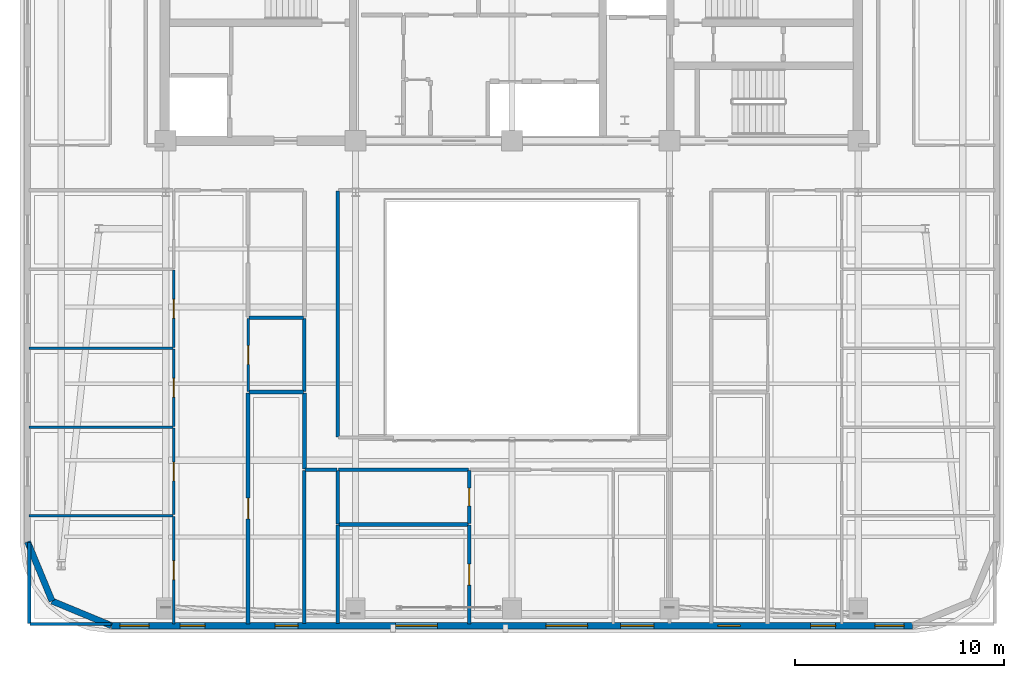
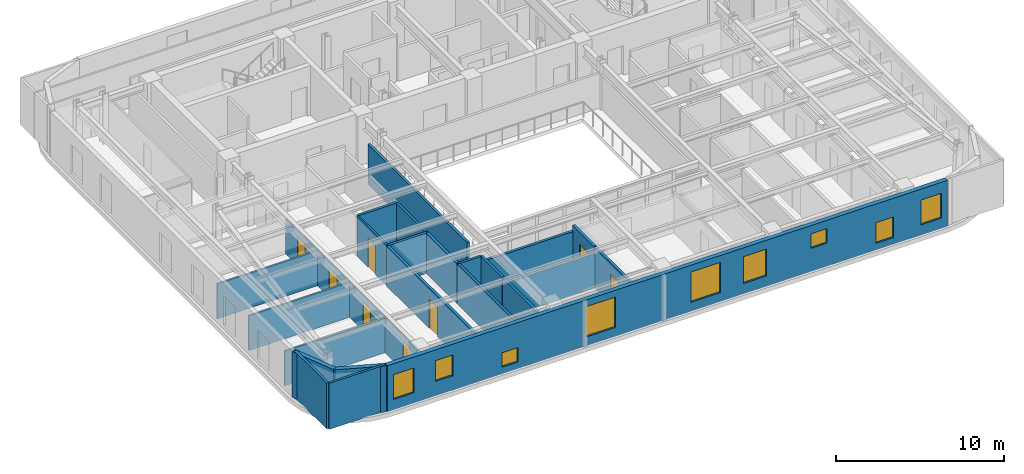
# One storey, part 6 of 14: 27 walls, 9 windows, 8 doors, 17 openings.
"""IFC4 building model written with IfcOpenShell, lengths in metres."""

from ifc_helpers import new_model, si_unit, direction, frame, frame_2d, origin, place, context, subcontext, project, spatial, rectangle, extrude, material, layer, layer_set, type_object, element, fill, save


model = new_model("IFC4")

# Units and contexts
model_context = context("Model", 3, precision=1e-05, world=origin(), true_north=direction((0.0, 1.0)))
body_context = subcontext(model_context, "Body", "Model", "MODEL_VIEW")
ifc_project = project(units=[si_unit("LENGTHUNIT", "METRE"), si_unit("AREAUNIT", "SQUARE_METRE"), si_unit("VOLUMEUNIT", "CUBIC_METRE"), si_unit("PLANEANGLEUNIT", "RADIAN"), si_unit("MASSUNIT", "GRAM", prefix="KILO")], contexts=[model_context])

# Site, building, storey
site_placement = place(None, origin())
site = spatial("IfcSite", under=ifc_project, at=site_placement, CompositionType="ELEMENT")
building_placement = place(site_placement, origin())
building = spatial("IfcBuilding", under=site, at=building_placement, Name="Zarnavel Station Tower", CompositionType="ELEMENT")
storey_placement = place(building_placement, frame((0.0, 0.0, 229.199951171875)))
storey = spatial("IfcBuildingStorey", under=building, at=storey_placement, Name="L62", CompositionType="ELEMENT", Elevation=229.199951171875)

# Walls
ifc_material_1 = material(Name="Precast concrete C45/55 (Dark Basalt Finish)", Category="masonry")
ifc_layer_1 = layer(ifc_material_1, 0.300048828125)
ifc_layer_set_1 = layer_set([ifc_layer_1], Name="EW_BASALT_300")
wall_type_1 = type_object("IfcWallType", Name="EW_BASALT_300", PredefinedType="SOLIDWALL", material=ifc_layer_set_1)
for number, where, z_axis, x_axis, name in (
    (1, (6.75732421875, 5.75732421875, 0.0), (0.0, 0.0, 1.0), (-0.382608747773, 0.923910464346, 0.0), "L62 Exterior Basalt Masonry Frame Wall 10"),
    (2, (9.60009765625, 4.580078125, 0.0), (0.0, 0.0, 1.0), (-0.923910464346, 0.382608747773, 0.0), "L62 Exterior Basalt Masonry Frame Wall 11"),
):
    element("IfcWall", number, at=place(storey_placement, frame(where, z_axis=z_axis, x_axis=x_axis)), inside=storey, type_object=wall_type_1, Name=name, PredefinedType="SOLIDWALL", context=body_context, shape_type="SweptSolid", body=[
        extrude(rectangle(XDim=3.076904296875, YDim=0.300048828125, at=frame_2d((1.53857421875, 0.0))), origin(), (0.0, 0.0, 1.0), 3.340087890625),
    ])

# Wall, openings, windows
wall_1_placement = place(storey_placement, frame((48.0, 4.580078125, 0.0), z_axis=(0.0, 0.0, 1.0), x_axis=(-1.0, 0.0, 0.0)))
wall_1 = element("IfcWall", 3, at=wall_1_placement, inside=storey, type_object=wall_type_1, Name="L62 Exterior Basalt Masonry Frame Wall 12", PredefinedType="SOLIDWALL", context=body_context, shape_type="SweptSolid", body=[
    extrude(rectangle(XDim=38.39990234375, YDim=0.300048828125, at=frame_2d((19.199951171875, 0.0))), origin(), (0.0, 0.0, 1.0), 3.340087890625),
])
opening_1_placement = place(wall_1_placement, frame((33.90234375, 0.0, 1.050048828125)))
opening_1 = element("IfcOpeningElement", 4, at=opening_1_placement, cuts=wall_1, Name="Opening WN08", PredefinedType="OPENING", context=body_context, shape_type="SweptSolid", body=[
    extrude(rectangle(XDim=1.199951171875, YDim=1.5, at=frame_2d((0.60009765625, 0.75))), frame((0.0, 0.159912109375, 0.0), z_axis=(0.0, -1.0, 0.0), x_axis=(1.0, 0.0, 0.0)), (0.0, 0.0, 1.0), 0.320068359375),
])
opening_2_placement = place(wall_1_placement, frame((29.449951171875, 0.0, 0.47998046875)))
opening_2 = element("IfcOpeningElement", 5, at=opening_2_placement, cuts=wall_1, Name="Opening WN09", PredefinedType="OPENING", context=body_context, shape_type="SweptSolid", body=[
    extrude(rectangle(XDim=1.10009765625, YDim=1.050048828125, at=frame_2d((0.550048828125, 0.52490234375))), frame((0.0, 0.159912109375, 0.0), z_axis=(0.0, -1.0, 0.0), x_axis=(1.0, 0.0, 0.0)), (0.0, 0.0, 1.0), 0.320068359375),
])
opening_3_placement = place(wall_1_placement, frame((36.5888671875, 0.0, 0.75)))
opening_3 = element("IfcOpeningElement", 6, at=opening_3_placement, cuts=wall_1, Name="Opening WN01", PredefinedType="OPENING", context=body_context, shape_type="SweptSolid", body=[
    extrude(rectangle(XDim=1.39990234375, YDim=1.800048828125, at=frame_2d((0.699951171875, 0.89990234375))), frame((0.0, 0.159912109375, 0.0), z_axis=(0.0, -1.0, 0.0), x_axis=(1.0, 0.0, 0.0)), (0.0, 0.0, 1.0), 0.320068359375),
])
opening_4_placement = place(wall_1_placement, frame((15.576171875, 0.0, 0.64990234375)))
opening_4 = element("IfcOpeningElement", 7, at=opening_4_placement, cuts=wall_1, Name="Opening WN07", PredefinedType="OPENING", context=body_context, shape_type="SweptSolid", body=[
    extrude(rectangle(XDim=2.0, YDim=2.199951171875, at=frame_2d((1.0, 1.10009765625))), frame((0.0, 0.159912109375, 0.0), z_axis=(0.0, -1.0, 0.0), x_axis=(1.0, 0.0, 0.0)), (0.0, 0.0, 1.0), 0.320068359375),
])
opening_5_placement = place(wall_1_placement, frame((22.776123046875, 0.0, 0.64990234375)))
opening_5 = element("IfcOpeningElement", 8, at=opening_5_placement, cuts=wall_1, Name="Opening WN07", PredefinedType="OPENING", context=body_context, shape_type="SweptSolid", body=[
    extrude(rectangle(XDim=2.0, YDim=2.199951171875, at=frame_2d((1.0, 1.10009765625))), frame((0.0, 0.159912109375, 0.0), z_axis=(0.0, -1.0, 0.0), x_axis=(1.0, 0.0, 0.0)), (0.0, 0.0, 1.0), 0.320068359375),
])
opening_6_placement = place(wall_1_placement, frame((12.398681640625, 0.0, 0.75)))
opening_6 = element("IfcOpeningElement", 9, at=opening_6_placement, cuts=wall_1, Name="Opening WN06", PredefinedType="OPENING", context=body_context, shape_type="SweptSolid", body=[
    extrude(rectangle(XDim=1.60009765625, YDim=1.949951171875, at=frame_2d((0.800048828125, 0.97509765625))), frame((0.0, 0.159912109375, 0.0), z_axis=(0.0, -1.0, 0.0), x_axis=(1.0, 0.0, 0.0)), (0.0, 0.0, 1.0), 0.320068359375),
])
opening_7_placement = place(wall_1_placement, frame((3.69091796875, 0.0, 0.47998046875)))
opening_7 = element("IfcOpeningElement", 10, at=opening_7_placement, cuts=wall_1, Name="Opening WN08", PredefinedType="OPENING", context=body_context, shape_type="SweptSolid", body=[
    extrude(rectangle(XDim=1.199951171875, YDim=1.5, at=frame_2d((0.60009765625, 0.75))), frame((0.0, 0.159912109375, 0.0), z_axis=(0.0, -1.0, 0.0), x_axis=(1.0, 0.0, 0.0)), (0.0, 0.0, 1.0), 0.320068359375),
])
opening_8_placement = place(wall_1_placement, frame((8.25, 0.0, 1.679931640625)))
opening_8 = element("IfcOpeningElement", 11, at=opening_8_placement, cuts=wall_1, Name="Opening WN09", PredefinedType="OPENING", context=body_context, shape_type="SweptSolid", body=[
    extrude(rectangle(XDim=1.10009765625, YDim=1.050048828125, at=frame_2d((0.550048828125, 0.52490234375))), frame((0.0, 0.159912109375, 0.0), z_axis=(0.0, -1.0, 0.0), x_axis=(1.0, 0.0, 0.0)), (0.0, 0.0, 1.0), 0.320068359375),
])
opening_9_placement = place(wall_1_placement, frame((0.4111328125, 0.0, 0.75)))
opening_9 = element("IfcOpeningElement", 12, at=opening_9_placement, cuts=wall_1, Name="Opening WN01", PredefinedType="OPENING", context=body_context, shape_type="SweptSolid", body=[
    extrude(rectangle(XDim=1.39990234375, YDim=1.800048828125, at=frame_2d((0.699951171875, 0.89990234375))), frame((0.0, 0.159912109375, 0.0), z_axis=(0.0, -1.0, 0.0), x_axis=(1.0, 0.0, 0.0)), (0.0, 0.0, 1.0), 0.320068359375),
])
ifc_material_2 = material(Name="Thermally Broken Black Aluminium and Low-E Dark Glass", Category="aluminium")
window_type_1 = type_object("IfcWindowType", Name="WN_1100x1050", PartitioningType="SINGLE_PANEL", PredefinedType="WINDOW", material=ifc_material_2)
window_1_placement = place(opening_2_placement, origin())
window_1 = element("IfcWindow", 13, at=window_1_placement, inside=storey, type_object=window_type_1, Name="L62 Recessed Facade Window 02", OverallHeight=1.050048828125, OverallWidth=1.10009765625, PartitioningType="SINGLE_PANEL", PredefinedType="WINDOW", context=body_context, shape_type="SweptSolid", body=[
    extrude(rectangle(XDim=1.10009765625, YDim=1.050048828125, at=frame_2d((0.550048828125, 0.52490234375))), frame((0.0, 0.030029296875, 0.0), z_axis=(0.0, -1.0, 0.0), x_axis=(1.0, 0.0, 0.0)), (0.0, 0.0, 1.0), 0.06005859375),
])
fill(opening_2, window_1)
window_2_placement = place(opening_8_placement, origin())
window_2 = element("IfcWindow", 14, at=window_2_placement, inside=storey, type_object=window_type_1, Name="L62 Recessed Facade Window 08", OverallHeight=1.050048828125, OverallWidth=1.10009765625, PartitioningType="SINGLE_PANEL", PredefinedType="WINDOW", context=body_context, shape_type="SweptSolid", body=[
    extrude(rectangle(XDim=1.10009765625, YDim=1.050048828125, at=frame_2d((0.550048828125, 0.52490234375))), frame((0.0, 0.030029296875, 0.0), z_axis=(0.0, -1.0, 0.0), x_axis=(1.0, 0.0, 0.0)), (0.0, 0.0, 1.0), 0.06005859375),
])
fill(opening_8, window_2)
ifc_material_3 = material(Name="Thermally Broken Black Aluminium and Low-E Dark Glass", Category="aluminium")
window_type_2 = type_object("IfcWindowType", Name="WN_1200x1500", PartitioningType="SINGLE_PANEL", PredefinedType="WINDOW", material=ifc_material_3)
window_3_placement = place(opening_1_placement, origin())
window_3 = element("IfcWindow", 15, at=window_3_placement, inside=storey, type_object=window_type_2, Name="L62 Recessed Facade Window 01", OverallHeight=1.5, OverallWidth=1.199951171875, PartitioningType="SINGLE_PANEL", PredefinedType="WINDOW", context=body_context, shape_type="SweptSolid", body=[
    extrude(rectangle(XDim=1.199951171875, YDim=1.5, at=frame_2d((0.60009765625, 0.75))), frame((0.0, 0.030029296875, 0.0), z_axis=(0.0, -1.0, 0.0), x_axis=(1.0, 0.0, 0.0)), (0.0, 0.0, 1.0), 0.06005859375),
])
fill(opening_1, window_3)
window_4_placement = place(opening_7_placement, origin())
window_4 = element("IfcWindow", 16, at=window_4_placement, inside=storey, type_object=window_type_2, Name="L62 Recessed Facade Window 07", OverallHeight=1.5, OverallWidth=1.199951171875, PartitioningType="SINGLE_PANEL", PredefinedType="WINDOW", context=body_context, shape_type="SweptSolid", body=[
    extrude(rectangle(XDim=1.199951171875, YDim=1.5, at=frame_2d((0.60009765625, 0.75))), frame((0.0, 0.030029296875, 0.0), z_axis=(0.0, -1.0, 0.0), x_axis=(1.0, 0.0, 0.0)), (0.0, 0.0, 1.0), 0.06005859375),
])
fill(opening_7, window_4)
ifc_material_4 = material(Name="Thermally Broken Black Aluminium and Low-E Dark Glass", Category="aluminium")
window_type_3 = type_object("IfcWindowType", Name="WN_1400x1800", PartitioningType="DOUBLE_PANEL_VERTICAL", PredefinedType="WINDOW", material=ifc_material_4)
window_5_placement = place(opening_3_placement, origin())
window_5 = element("IfcWindow", 17, at=window_5_placement, inside=storey, type_object=window_type_3, Name="L62 Recessed Facade Window 03", OverallHeight=1.800048828125, OverallWidth=1.39990234375, PartitioningType="SINGLE_PANEL", PredefinedType="WINDOW", context=body_context, shape_type="SweptSolid", body=[
    extrude(rectangle(XDim=1.39990234375, YDim=1.800048828125, at=frame_2d((0.699951171875, 0.89990234375))), frame((0.0, 0.030029296875, 0.0), z_axis=(0.0, -1.0, 0.0), x_axis=(1.0, 0.0, 0.0)), (0.0, 0.0, 1.0), 0.06005859375),
])
fill(opening_3, window_5)
window_6_placement = place(opening_9_placement, origin())
window_6 = element("IfcWindow", 18, at=window_6_placement, inside=storey, type_object=window_type_3, Name="L62 Recessed Facade Window 09", OverallHeight=1.800048828125, OverallWidth=1.39990234375, PartitioningType="SINGLE_PANEL", PredefinedType="WINDOW", context=body_context, shape_type="SweptSolid", body=[
    extrude(rectangle(XDim=1.39990234375, YDim=1.800048828125, at=frame_2d((0.699951171875, 0.89990234375))), frame((0.0, 0.030029296875, 0.0), z_axis=(0.0, -1.0, 0.0), x_axis=(1.0, 0.0, 0.0)), (0.0, 0.0, 1.0), 0.06005859375),
])
fill(opening_9, window_6)
ifc_material_5 = material(Name="Thermally Broken Black Aluminium and Low-E Dark Glass", Category="aluminium")
window_type_4 = type_object("IfcWindowType", Name="WN_1600x1950", PartitioningType="DOUBLE_PANEL_VERTICAL", PredefinedType="WINDOW", material=ifc_material_5)
window_7_placement = place(opening_6_placement, origin())
window_7 = element("IfcWindow", 19, at=window_7_placement, inside=storey, type_object=window_type_4, Name="L62 Recessed Facade Window 06", OverallHeight=1.949951171875, OverallWidth=1.60009765625, PartitioningType="SINGLE_PANEL", PredefinedType="WINDOW", context=body_context, shape_type="SweptSolid", body=[
    extrude(rectangle(XDim=1.60009765625, YDim=1.949951171875, at=frame_2d((0.800048828125, 0.97509765625))), frame((0.0, 0.030029296875, 0.0), z_axis=(0.0, -1.0, 0.0), x_axis=(1.0, 0.0, 0.0)), (0.0, 0.0, 1.0), 0.06005859375),
])
fill(opening_6, window_7)
ifc_material_6 = material(Name="Thermally Broken Black Aluminium and Low-E Dark Glass", Category="aluminium")
window_type_5 = type_object("IfcWindowType", Name="WN_2000x2200", PartitioningType="TRIPLE_PANEL_VERTICAL", PredefinedType="WINDOW", material=ifc_material_6)
window_8_placement = place(opening_4_placement, origin())
window_8 = element("IfcWindow", 20, at=window_8_placement, inside=storey, type_object=window_type_5, Name="L62 Recessed Facade Window 04", OverallHeight=2.199951171875, OverallWidth=2.0, PartitioningType="SINGLE_PANEL", PredefinedType="WINDOW", context=body_context, shape_type="SweptSolid", body=[
    extrude(rectangle(XDim=2.0, YDim=2.199951171875, at=frame_2d((1.0, 1.10009765625))), frame((0.0, 0.030029296875, 0.0), z_axis=(0.0, -1.0, 0.0), x_axis=(1.0, 0.0, 0.0)), (0.0, 0.0, 1.0), 0.06005859375),
])
fill(opening_4, window_8)
window_9_placement = place(opening_5_placement, origin())
window_9 = element("IfcWindow", 21, at=window_9_placement, inside=storey, type_object=window_type_5, Name="L62 Recessed Facade Window 05", OverallHeight=2.199951171875, OverallWidth=2.0, PartitioningType="SINGLE_PANEL", PredefinedType="WINDOW", context=body_context, shape_type="SweptSolid", body=[
    extrude(rectangle(XDim=2.0, YDim=2.199951171875, at=frame_2d((1.0, 1.10009765625))), frame((0.0, 0.030029296875, 0.0), z_axis=(0.0, -1.0, 0.0), x_axis=(1.0, 0.0, 0.0)), (0.0, 0.0, 1.0), 0.06005859375),
])
fill(opening_5, window_9)

# Walls
ifc_material_7 = material(Name="Gypsum Twin-Stud Acoustic Fire Partition", Category="concrete")
ifc_layer_2 = layer(ifc_material_7, 0.159912109375)
ifc_layer_set_2 = layer_set([ifc_layer_2], Name="PT_DEMISE_160")
wall_type_2 = type_object("IfcWallType", Name="PT_DEMISE_160", PredefinedType="PARTITIONING", material=ifc_layer_set_2)
wall_2_placement = place(storey_placement, frame((18.85009765625, 15.81103515625, 0.0), z_axis=(0.0, 0.0, 1.0), x_axis=(0.0, 1.0, 0.0)))
element("IfcWall", 22, at=wall_2_placement, inside=storey, type_object=wall_type_2, Name="L62 Partition COR-AW-UW1UT", PredefinedType="PARTITIONING", context=body_context, shape_type="SweptSolid", body=[
    extrude(rectangle(XDim=3.488037109375, YDim=0.159912109375, at=frame_2d((1.744140625, 0.0))), origin(), (0.0, 0.0, 1.0), 2.920166015625),
])
wall_3_placement = place(storey_placement, frame((18.8798828125, 12.050048828125, 0.0), z_axis=(0.0, 0.0, 1.0), x_axis=(1.0, 0.0, 0.0)))
element("IfcWall", 23, at=wall_3_placement, inside=storey, type_object=wall_type_2, Name="L62 Enclosure Wall COR-AW", PredefinedType="PARTITIONING", context=body_context, shape_type="SweptSolid", body=[
    extrude(rectangle(XDim=1.5400390625, YDim=0.159912109375, at=frame_2d((0.77001953125, 0.0))), origin(), (0.0, 0.0, 1.0), 2.929931640625),
])
wall_4_placement = place(storey_placement, frame((20.449951171875, 13.6298828125, 0.0), z_axis=(0.0, 0.0, 1.0), x_axis=(0.0, 1.0, 0.0)))
element("IfcWall", 24, at=wall_4_placement, inside=storey, type_object=wall_type_2, Name="L62 Enclosure Wall COR-AW", PredefinedType="PARTITIONING", context=body_context, shape_type="SweptSolid", body=[
    extrude(rectangle(XDim=11.7900390625, YDim=0.159912109375, at=frame_2d((5.89501953125, 0.0))), origin(), (0.0, 0.0, 1.0), 2.920166015625),
])
wall_5_placement = place(storey_placement, frame((18.85009765625, 4.68994140625, 0.0), z_axis=(0.0, 0.0, 1.0), x_axis=(0.0, 1.0, 0.0)))
element("IfcWall", 25, at=wall_5_placement, inside=storey, type_object=wall_type_2, Name="L62 Enclosure Wall UW1KT", PredefinedType="PARTITIONING", context=body_context, shape_type="SweptSolid", body=[
    extrude(rectangle(XDim=7.330078125, YDim=0.159912109375, at=frame_2d((3.6650390625, 0.0))), origin(), (0.0, 0.0, 1.0), 2.920166015625),
])
for number, where, z_axis, x_axis, name in (
    (26, (5.68994140625, 4.659912109375, 0.0), (0.0, 0.0, 1.0), (1.0, 0.0, 0.0), "L62 Enclosure Wall UW1B1"),
    (27, (5.659912109375, 4.68994140625, 0.0), (0.0, 0.0, 1.0), (0.0, 1.0, 0.0), "L62 Enclosure Wall UW1B1"),
):
    element("IfcWall", number, at=place(storey_placement, frame(where, z_axis=z_axis, x_axis=x_axis)), inside=storey, type_object=wall_type_2, Name=name, PredefinedType="PARTITIONING", context=body_context, shape_type="SweptSolid", body=[
        extrude(rectangle(XDim=3.880126953125, YDim=0.159912109375, at=frame_2d((1.93994140625, 0.0))), origin(), (0.0, 0.0, 1.0), 3.340087890625),
    ])
wall_6_placement = place(storey_placement, frame((20.449951171875, 4.68994140625, 0.0), z_axis=(0.0, 0.0, 1.0), x_axis=(0.0, 1.0, 0.0)))
element("IfcWall", 28, at=wall_6_placement, inside=storey, type_object=wall_type_2, Name="L62 Enclosure Wall US1KT", PredefinedType="PARTITIONING", context=body_context, shape_type="SweptSolid", body=[
    extrude(rectangle(XDim=4.7109375, YDim=0.159912109375, at=frame_2d((2.35546875, 0.0))), origin(), (0.0, 0.0, 1.0), 2.920166015625),
])
wall_7_placement = place(storey_placement, frame((20.449951171875, 9.4609375, 0.0), z_axis=(0.0, 0.0, 1.0), x_axis=(0.0, 1.0, 0.0)))
element("IfcWall", 29, at=wall_7_placement, inside=storey, type_object=wall_type_2, Name="L62 Enclosure Wall US1BA", PredefinedType="PARTITIONING", context=body_context, shape_type="SweptSolid", body=[
    extrude(rectangle(XDim=2.55908203125, YDim=0.159912109375, at=frame_2d((1.279541015625, 0.0))), origin(), (0.0, 0.0, 1.0), 2.929931640625),
])

# Wall, opening, door
ifc_material_8 = material(Name="Gypsum Metal-Stud Interior Partition", Category="concrete")
ifc_layer_3 = layer(ifc_material_8, 0.1201171875)
ifc_layer_set_3 = layer_set([ifc_layer_3], Name="PT_ROOM_120")
wall_type_3 = type_object("IfcWallType", Name="PT_ROOM_120", PredefinedType="PARTITIONING", material=ifc_layer_set_3)
wall_8_placement = place(storey_placement, frame((16.14990234375, 15.81103515625, 0.0), z_axis=(0.0, 0.0, 1.0), x_axis=(0.0, 1.0, 0.0)))
wall_8 = element("IfcWall", 30, at=wall_8_placement, inside=storey, type_object=wall_type_3, Name="L62 Partition UW1LV-UW1UT", PredefinedType="PARTITIONING", context=body_context, shape_type="SweptSolid", body=[
    extrude(rectangle(XDim=3.488037109375, YDim=0.1201171875, at=frame_2d((1.744140625, 0.0))), origin(), (0.0, 0.0, 1.0), 2.920166015625),
])
opening_10_placement = place(wall_8_placement, frame((1.2939453125, 0.0, 0.0)))
opening_10 = element("IfcOpeningElement", 31, at=opening_10_placement, cuts=wall_8, Name="Opening ID01", PredefinedType="OPENING", context=body_context, shape_type="SweptSolid", body=[
    extrude(rectangle(XDim=0.89990234375, YDim=2.10009765625, at=frame_2d((0.449951171875, 1.050048828125))), frame((0.0, 0.070068359375, 0.0), z_axis=(0.0, -1.0, 0.0), x_axis=(1.0, 0.0, 0.0)), (0.0, 0.0, 1.0), 0.14013671875),
])
ifc_material_9 = material(Name="Painted Galvanised Steel and Hardwood Leaf", Category="steel")
door_type_1 = type_object("IfcDoorType", Name="ID_ROOM_900", OperationType="NOTDEFINED", PredefinedType="DOOR", material=ifc_material_9)
door_1_placement = place(opening_10_placement, origin())
door_1 = element("IfcDoor", 32, at=door_1_placement, inside=storey, type_object=door_type_1, Name="L62 Door UW1LV-UW1UT", OperationType="SINGLE_SWING_LEFT", OverallHeight=2.10009765625, OverallWidth=0.89990234375, PredefinedType="DOOR", context=body_context, shape_type="SweptSolid", body=[
    extrude(rectangle(XDim=0.89990234375, YDim=2.10009765625, at=frame_2d((0.449951171875, 1.050048828125))), frame((0.0, 0.02490234375, 0.0), z_axis=(0.0, -1.0, 0.0), x_axis=(1.0, 0.0, 0.0)), (0.0, 0.0, 1.0), 0.050048828125),
])
fill(opening_10, door_1)

wall_9_placement = place(storey_placement, frame((12.591064453125, 4.659912109375, 0.0), z_axis=(0.0, 0.0, 1.0), x_axis=(0.0, 1.0, 0.0)))
wall_9 = element("IfcWall", 33, at=wall_9_placement, inside=storey, type_object=wall_type_3, Name="L62 Partition UW1LV-UW1B1", PredefinedType="PARTITIONING", context=body_context, shape_type="SweptSolid", body=[
    extrude(rectangle(XDim=5.156982421875, YDim=0.1201171875, at=frame_2d((2.57861328125, 0.0))), origin(), (0.0, 0.0, 1.0), 2.52001953125),
])
opening_11_placement = place(wall_9_placement, frame((2.12841796875, 0.0, 0.0)))
opening_11 = element("IfcOpeningElement", 34, at=opening_11_placement, cuts=wall_9, Name="Opening ID01", PredefinedType="OPENING", context=body_context, shape_type="SweptSolid", body=[
    extrude(rectangle(XDim=0.89990234375, YDim=2.10009765625, at=frame_2d((0.449951171875, 1.050048828125))), frame((0.0, 0.070068359375, 0.0), z_axis=(0.0, -1.0, 0.0), x_axis=(1.0, 0.0, 0.0)), (0.0, 0.0, 1.0), 0.14013671875),
])
door_2_placement = place(opening_11_placement, origin())
door_2 = element("IfcDoor", 35, at=door_2_placement, inside=storey, type_object=door_type_1, Name="L62 Door UW1LV-UW1B1", OperationType="SINGLE_SWING_LEFT", OverallHeight=2.10009765625, OverallWidth=0.89990234375, PredefinedType="DOOR", context=body_context, shape_type="SweptSolid", body=[
    extrude(rectangle(XDim=0.89990234375, YDim=2.10009765625, at=frame_2d((0.449951171875, 1.050048828125))), frame((0.0, 0.02490234375, 0.0), z_axis=(0.0, -1.0, 0.0), x_axis=(1.0, 0.0, 0.0)), (0.0, 0.0, 1.0), 0.050048828125),
])
fill(opening_11, door_2)

wall_10_placement = place(storey_placement, frame((12.591064453125, 9.89697265625, 0.0), z_axis=(0.0, 0.0, 1.0), x_axis=(0.0, 1.0, 0.0)))
wall_10 = element("IfcWall", 36, at=wall_10_placement, inside=storey, type_object=wall_type_3, Name="L62 Partition UW1LV-UW1B2", PredefinedType="PARTITIONING", context=body_context, shape_type="SweptSolid", body=[
    extrude(rectangle(XDim=4.14794921875, YDim=0.1201171875, at=frame_2d((2.073974609375, 0.0))), origin(), (0.0, 0.0, 1.0), 2.52001953125),
])
opening_12_placement = place(wall_10_placement, frame((1.6240234375, 0.0, 0.0)))
opening_12 = element("IfcOpeningElement", 37, at=opening_12_placement, cuts=wall_10, Name="Opening ID01", PredefinedType="OPENING", context=body_context, shape_type="SweptSolid", body=[
    extrude(rectangle(XDim=0.89990234375, YDim=2.10009765625, at=frame_2d((0.449951171875, 1.050048828125))), frame((0.0, 0.070068359375, 0.0), z_axis=(0.0, -1.0, 0.0), x_axis=(1.0, 0.0, 0.0)), (0.0, 0.0, 1.0), 0.14013671875),
])
door_3_placement = place(opening_12_placement, origin())
door_3 = element("IfcDoor", 38, at=door_3_placement, inside=storey, type_object=door_type_1, Name="L62 Door UW1LV-UW1B2", OperationType="SINGLE_SWING_RIGHT", OverallHeight=2.10009765625, OverallWidth=0.89990234375, PredefinedType="DOOR", context=body_context, shape_type="SweptSolid", body=[
    extrude(rectangle(XDim=0.89990234375, YDim=2.10009765625, at=frame_2d((0.449951171875, 1.050048828125))), frame((0.0, 0.02490234375, 0.0), z_axis=(0.0, -1.0, 0.0), x_axis=(1.0, 0.0, 0.0)), (0.0, 0.0, 1.0), 0.050048828125),
])
fill(opening_12, door_3)

wall_11_placement = place(storey_placement, frame((12.591064453125, 14.125, 0.0), z_axis=(0.0, 0.0, 1.0), x_axis=(0.0, 1.0, 0.0)))
wall_11 = element("IfcWall", 39, at=wall_11_placement, inside=storey, type_object=wall_type_3, Name="L62 Partition UW1LV-UW1B3", PredefinedType="PARTITIONING", context=body_context, shape_type="SweptSolid", body=[
    extrude(rectangle(XDim=3.7080078125, YDim=0.1201171875, at=frame_2d((1.85400390625, 0.0))), origin(), (0.0, 0.0, 1.0), 2.52001953125),
])
opening_13_placement = place(wall_11_placement, frame((1.404052734375, 0.0, 0.0)))
opening_13 = element("IfcOpeningElement", 40, at=opening_13_placement, cuts=wall_11, Name="Opening ID01", PredefinedType="OPENING", context=body_context, shape_type="SweptSolid", body=[
    extrude(rectangle(XDim=0.89990234375, YDim=2.10009765625, at=frame_2d((0.449951171875, 1.050048828125))), frame((0.0, 0.070068359375, 0.0), z_axis=(0.0, -1.0, 0.0), x_axis=(1.0, 0.0, 0.0)), (0.0, 0.0, 1.0), 0.14013671875),
])
door_4_placement = place(opening_13_placement, origin())
door_4 = element("IfcDoor", 41, at=door_4_placement, inside=storey, type_object=door_type_1, Name="L62 Door UW1LV-UW1B3", OperationType="SINGLE_SWING_LEFT", OverallHeight=2.10009765625, OverallWidth=0.89990234375, PredefinedType="DOOR", context=body_context, shape_type="SweptSolid", body=[
    extrude(rectangle(XDim=0.89990234375, YDim=2.10009765625, at=frame_2d((0.449951171875, 1.050048828125))), frame((0.0, 0.02490234375, 0.0), z_axis=(0.0, -1.0, 0.0), x_axis=(1.0, 0.0, 0.0)), (0.0, 0.0, 1.0), 0.050048828125),
])
fill(opening_13, door_4)

wall_12_placement = place(storey_placement, frame((12.591064453125, 17.9130859375, 0.0), z_axis=(0.0, 0.0, 1.0), x_axis=(0.0, 1.0, 0.0)))
wall_12 = element("IfcWall", 42, at=wall_12_placement, inside=storey, type_object=wall_type_3, Name="L62 Partition UW1LV-UW1B4", PredefinedType="PARTITIONING", context=body_context, shape_type="SweptSolid", body=[
    extrude(rectangle(XDim=3.7080078125, YDim=0.1201171875, at=frame_2d((1.85400390625, 0.0))), origin(), (0.0, 0.0, 1.0), 2.52001953125),
])
opening_14_placement = place(wall_12_placement, frame((1.404052734375, 0.0, 0.0)))
opening_14 = element("IfcOpeningElement", 43, at=opening_14_placement, cuts=wall_12, Name="Opening ID01", PredefinedType="OPENING", context=body_context, shape_type="SweptSolid", body=[
    extrude(rectangle(XDim=0.89990234375, YDim=2.10009765625, at=frame_2d((0.449951171875, 1.050048828125))), frame((0.0, 0.070068359375, 0.0), z_axis=(0.0, -1.0, 0.0), x_axis=(1.0, 0.0, 0.0)), (0.0, 0.0, 1.0), 0.14013671875),
])
door_5_placement = place(opening_14_placement, origin())
door_5 = element("IfcDoor", 44, at=door_5_placement, inside=storey, type_object=door_type_1, Name="L62 Door UW1LV-UW1B4", OperationType="SINGLE_SWING_RIGHT", OverallHeight=2.10009765625, OverallWidth=0.89990234375, PredefinedType="DOOR", context=body_context, shape_type="SweptSolid", body=[
    extrude(rectangle(XDim=0.89990234375, YDim=2.10009765625, at=frame_2d((0.449951171875, 1.050048828125))), frame((0.0, 0.02490234375, 0.0), z_axis=(0.0, -1.0, 0.0), x_axis=(1.0, 0.0, 0.0)), (0.0, 0.0, 1.0), 0.050048828125),
])
fill(opening_14, door_5)

# Walls
for number, where, z_axis, x_axis, name in (
    (45, (5.659912109375, 9.85693359375, 0.0), (0.0, 0.0, 1.0), (1.0, 0.0, 0.0), "L62 Partition UW1B1-UW1B2"),
    (46, (5.659912109375, 14.0849609375, 0.0), (0.0, 0.0, 1.0), (1.0, 0.0, 0.0), "L62 Partition UW1B2-UW1B3"),
    (47, (5.659912109375, 17.873046875, 0.0), (0.0, 0.0, 1.0), (1.0, 0.0, 0.0), "L62 Partition UW1B3-UW1B4"),
):
    element("IfcWall", number, at=place(storey_placement, frame(where, z_axis=z_axis, x_axis=x_axis)), inside=storey, type_object=wall_type_3, Name=name, PredefinedType="PARTITIONING", context=body_context, shape_type="SweptSolid", body=[
        extrude(rectangle(XDim=6.89111328125, YDim=0.1201171875, at=frame_2d((3.445556640625, 0.0))), origin(), (0.0, 0.0, 1.0), 2.52001953125),
    ])
ifc_material_10 = material(Name="Moisture-Resistant Plumbing Chase Wall", Category="concrete")
ifc_layer_4 = layer(ifc_material_10, 0.179931640625)
ifc_layer_set_4 = layer_set([ifc_layer_4], Name="PW_PLUMB_180")
wall_type_4 = type_object("IfcWallType", Name="PW_PLUMB_180", PredefinedType="PLUMBINGWALL", material=ifc_layer_set_4)
wall_13_placement = place(storey_placement, frame((18.85009765625, 12.090087890625, 0.0), z_axis=(0.0, 0.0, 1.0), x_axis=(0.0, 1.0, 0.0)))
element("IfcWall", 48, at=wall_13_placement, inside=storey, type_object=wall_type_4, Name="L62 Partition COR-AW-UW1KT", PredefinedType="PLUMBINGWALL", context=body_context, shape_type="SweptSolid", body=[
    extrude(rectangle(XDim=3.640869140625, YDim=0.179931640625, at=frame_2d((1.8203125, 0.0))), origin(), (0.0, 0.0, 1.0), 2.920166015625),
])
wall_14_placement = place(storey_placement, frame((20.489990234375, 12.050048828125, 0.0), z_axis=(0.0, 0.0, 1.0), x_axis=(1.0, 0.0, 0.0)))
element("IfcWall", 49, at=wall_14_placement, inside=storey, type_object=wall_type_4, Name="L62 Partition COR-AS-US1BA", PredefinedType="PLUMBINGWALL", context=body_context, shape_type="SweptSolid", body=[
    extrude(rectangle(XDim=6.219970703125, YDim=0.179931640625, at=frame_2d((3.10986328125, 0.0))), origin(), (0.0, 0.0, 1.0), 2.52001953125),
])

# Wall, opening, door
wall_15_placement = place(storey_placement, frame((16.14990234375, 4.659912109375, 0.0), z_axis=(0.0, 0.0, 1.0), x_axis=(0.0, 1.0, 0.0)))
wall_15 = element("IfcWall", 50, at=wall_15_placement, inside=storey, type_object=wall_type_4, Name="L62 Partition UW1LV-UW1KT", PredefinedType="PLUMBINGWALL", context=body_context, shape_type="SweptSolid", body=[
    extrude(rectangle(XDim=11.071044921875, YDim=0.179931640625, at=frame_2d((5.53564453125, 0.0))), origin(), (0.0, 0.0, 1.0), 2.920166015625),
])
opening_15_placement = place(wall_15_placement, frame((5.035400390625, 0.0, 0.0)))
opening_15 = element("IfcOpeningElement", 51, at=opening_15_placement, cuts=wall_15, Name="Opening FD02", PredefinedType="OPENING", context=body_context, shape_type="SweptSolid", body=[
    extrude(rectangle(XDim=1.0, YDim=2.14990234375, at=frame_2d((0.5, 1.074951171875))), frame((0.0, 0.099853515625, 0.0), z_axis=(0.0, -1.0, 0.0), x_axis=(1.0, 0.0, 0.0)), (0.0, 0.0, 1.0), 0.199951171875),
])
ifc_material_11 = material(Name="Painted Galvanised Steel and Hardwood Leaf", Category="steel")
door_type_2 = type_object("IfcDoorType", Name="ID_ENTRY_1000", OperationType="NOTDEFINED", PredefinedType="DOOR", material=ifc_material_11)
door_6_placement = place(opening_15_placement, origin())
door_6 = element("IfcDoor", 52, at=door_6_placement, inside=storey, type_object=door_type_2, Name="L62 Door UW1LV-UW1KT", OperationType="SINGLE_SWING_RIGHT", OverallHeight=2.14990234375, OverallWidth=1.0, PredefinedType="DOOR", context=body_context, shape_type="SweptSolid", body=[
    extrude(rectangle(XDim=1.0, YDim=2.14990234375, at=frame_2d((0.5, 1.074951171875))), frame((0.0, 0.02490234375, 0.0), z_axis=(0.0, -1.0, 0.0), x_axis=(1.0, 0.0, 0.0)), (0.0, 0.0, 1.0), 0.050048828125),
])
fill(opening_15, door_6)

# Walls
wall_16_placement = place(storey_placement, frame((16.18994140625, 15.77099609375, 0.0), z_axis=(0.0, 0.0, 1.0), x_axis=(1.0, 0.0, 0.0)))
element("IfcWall", 53, at=wall_16_placement, inside=storey, type_object=wall_type_4, Name="L62 Partition UW1KT-UW1UT", PredefinedType="PLUMBINGWALL", context=body_context, shape_type="SweptSolid", body=[
    extrude(rectangle(XDim=2.6201171875, YDim=0.179931640625, at=frame_2d((1.31005859375, 0.0))), origin(), (0.0, 0.0, 1.0), 2.920166015625),
])
wall_17_placement = place(storey_placement, frame((16.18994140625, 19.339111328125, 0.0), z_axis=(0.0, 0.0, 1.0), x_axis=(1.0, 0.0, 0.0)))
element("IfcWall", 54, at=wall_17_placement, inside=storey, type_object=wall_type_4, Name="L62 Partition UW1UT-UW1BA", PredefinedType="PLUMBINGWALL", context=body_context, shape_type="SweptSolid", body=[
    extrude(rectangle(XDim=2.6201171875, YDim=0.179931640625, at=frame_2d((1.31005859375, 0.0))), origin(), (0.0, 0.0, 1.0), 2.929931640625),
])

# Wall, opening, door
wall_18_placement = place(storey_placement, frame((26.75, 4.659912109375, 0.0), z_axis=(0.0, 0.0, 1.0), x_axis=(0.0, 1.0, 0.0)))
wall_18 = element("IfcWall", 55, at=wall_18_placement, inside=storey, type_object=wall_type_4, Name="L62 Partition US1LV-US1KT", PredefinedType="PLUMBINGWALL", context=body_context, shape_type="SweptSolid", body=[
    extrude(rectangle(XDim=4.731201171875, YDim=0.179931640625, at=frame_2d((2.36572265625, 0.0))), origin(), (0.0, 0.0, 1.0), 2.9599609375),
])
opening_16_placement = place(wall_18_placement, frame((1.865478515625, 0.0, 0.0)))
opening_16 = element("IfcOpeningElement", 56, at=opening_16_placement, cuts=wall_18, Name="Opening FD02", PredefinedType="OPENING", context=body_context, shape_type="SweptSolid", body=[
    extrude(rectangle(XDim=1.0, YDim=2.14990234375, at=frame_2d((0.5, 1.074951171875))), frame((0.0, 0.099853515625, 0.0), z_axis=(0.0, -1.0, 0.0), x_axis=(1.0, 0.0, 0.0)), (0.0, 0.0, 1.0), 0.199951171875),
])
door_7_placement = place(opening_16_placement, origin())
door_7 = element("IfcDoor", 57, at=door_7_placement, inside=storey, type_object=door_type_2, Name="L62 Door US1LV-US1KT", OperationType="SINGLE_SWING_RIGHT", OverallHeight=2.14990234375, OverallWidth=1.0, PredefinedType="DOOR", context=body_context, shape_type="SweptSolid", body=[
    extrude(rectangle(XDim=1.0, YDim=2.14990234375, at=frame_2d((0.5, 1.074951171875))), frame((0.0, 0.02490234375, 0.0), z_axis=(0.0, -1.0, 0.0), x_axis=(1.0, 0.0, 0.0)), (0.0, 0.0, 1.0), 0.050048828125),
])
fill(opening_16, door_7)

wall_19_placement = place(storey_placement, frame((26.75, 9.470947265625, 0.0), z_axis=(0.0, 0.0, 1.0), x_axis=(0.0, 1.0, 0.0)))
wall_19 = element("IfcWall", 58, at=wall_19_placement, inside=storey, type_object=wall_type_4, Name="L62 Partition US1LV-US1BA", PredefinedType="PLUMBINGWALL", context=body_context, shape_type="SweptSolid", body=[
    extrude(rectangle(XDim=2.5390625, YDim=0.179931640625, at=frame_2d((1.26953125, 0.0))), origin(), (0.0, 0.0, 1.0), 2.9599609375),
])
opening_17_placement = place(wall_19_placement, frame((0.844482421875, 0.0, 0.0)))
opening_17 = element("IfcOpeningElement", 59, at=opening_17_placement, cuts=wall_19, Name="Opening ID02", PredefinedType="OPENING", context=body_context, shape_type="SweptSolid", body=[
    extrude(rectangle(XDim=0.85009765625, YDim=2.10009765625, at=frame_2d((0.425048828125, 1.050048828125))), frame((0.0, 0.099853515625, 0.0), z_axis=(0.0, -1.0, 0.0), x_axis=(1.0, 0.0, 0.0)), (0.0, 0.0, 1.0), 0.199951171875),
])
ifc_material_12 = material(Name="Painted Galvanised Steel and Hardwood Leaf", Category="steel")
door_type_3 = type_object("IfcDoorType", Name="ID_BATH_850", OperationType="NOTDEFINED", PredefinedType="DOOR", material=ifc_material_12)
door_8_placement = place(opening_17_placement, origin())
door_8 = element("IfcDoor", 60, at=door_8_placement, inside=storey, type_object=door_type_3, Name="L62 Door US1LV-US1BA", OperationType="SINGLE_SWING_LEFT", OverallHeight=2.10009765625, OverallWidth=0.85009765625, PredefinedType="DOOR", context=body_context, shape_type="SweptSolid", body=[
    extrude(rectangle(XDim=0.85009765625, YDim=2.10009765625, at=frame_2d((0.425048828125, 1.050048828125))), frame((0.0, 0.02490234375, 0.0), z_axis=(0.0, -1.0, 0.0), x_axis=(1.0, 0.0, 0.0)), (0.0, 0.0, 1.0), 0.050048828125),
])
fill(opening_17, door_8)

# Wall
wall_20_placement = place(storey_placement, frame((20.489990234375, 9.430908203125, 0.0), z_axis=(0.0, 0.0, 1.0), x_axis=(1.0, 0.0, 0.0)))
element("IfcWall", 61, at=wall_20_placement, inside=storey, type_object=wall_type_4, Name="L62 Partition US1KT-US1BA", PredefinedType="PLUMBINGWALL", context=body_context, shape_type="SweptSolid", body=[
    extrude(rectangle(XDim=6.219970703125, YDim=0.179931640625, at=frame_2d((3.10986328125, 0.0))), origin(), (0.0, 0.0, 1.0), 2.52001953125),
])

save(model, "model.ifc")
